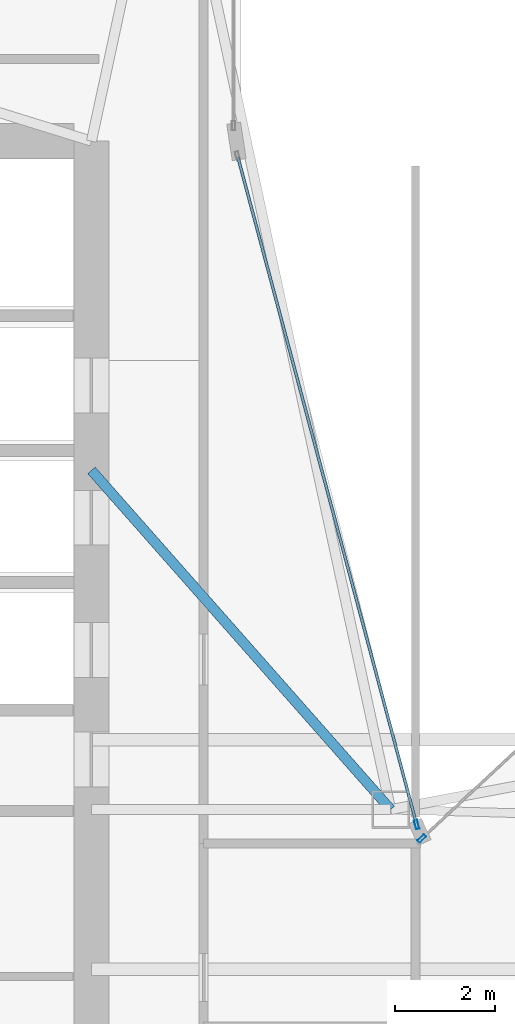
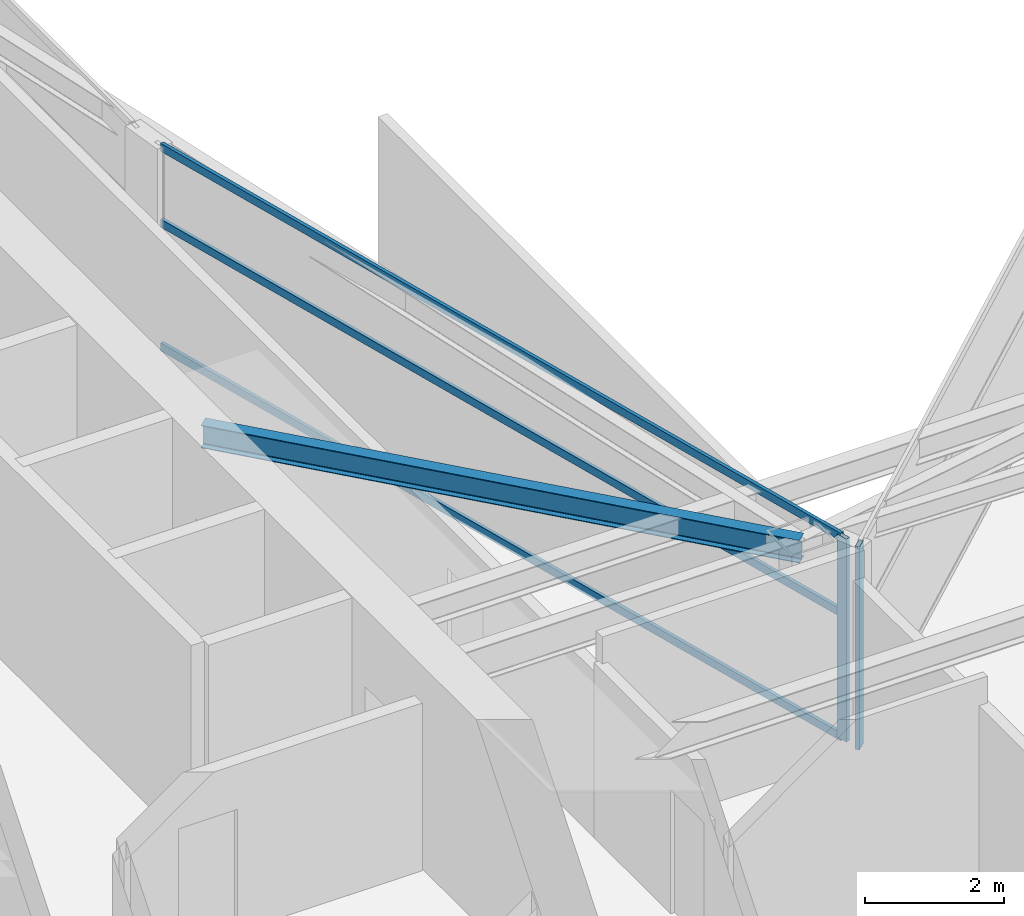
# One storey, part 10 of 27: 5 members, 1 beam, 2 elements without a shape of their own.
"""IFC4 building model written with IfcOpenShell, lengths in metres."""

from ifc_helpers import new_model, si_unit, direction, frame, origin, origin_2d, place, context, subcontext, project, spatial, hollow_rectangle, i_section, extrude, material, layer, layer_set, material_profile, profile_set, type_object, element, aggregate, save


model = new_model("IFC4")

# Units and contexts
model_context = context("Model", 3, precision=1e-05, world=origin(), true_north=direction((0.0, 1.0)))
body_context = subcontext(model_context, "Body", "Model", "MODEL_VIEW")
ifc_project = project(units=[si_unit("LENGTHUNIT", "METRE"), si_unit("AREAUNIT", "SQUARE_METRE"), si_unit("VOLUMEUNIT", "CUBIC_METRE"), si_unit("PLANEANGLEUNIT", "RADIAN"), si_unit("MASSUNIT", "GRAM", prefix="KILO")], contexts=[model_context])

# Site, building, storey
site_placement = place(None, origin())
site = spatial("IfcSite", under=ifc_project, at=site_placement, CompositionType="ELEMENT")
building_placement = place(site_placement, origin())
building = spatial("IfcBuilding", under=site, at=building_placement, Name="Calvorn Quay Hotel", CompositionType="ELEMENT")
storey_placement = place(building_placement, frame((0.0, 0.0, 226.89990234375)))
storey = spatial("IfcBuildingStorey", under=building, at=storey_placement, Name="L56", CompositionType="ELEMENT", Elevation=226.89990234375)

# Beam
ifc_material_1 = material(Name="Steel Q355B", Category="steel")
ifc_material_profile_1 = material_profile(ifc_material_1, i_section(OverallWidth=0.199951171875, OverallDepth=0.39990234375, WebThickness=0.008056640625, FlangeThickness=0.012939453125, FilletRadius=0.01611328125, at=origin_2d()), Name="HN400x200x8x13")
ifc_profile_set_1 = profile_set([ifc_material_profile_1], Name="Steel Q355B")
beam_type = type_object("IfcBeamType", Name="BM-JOIST-TYP", PredefinedType="JOIST", material=ifc_profile_set_1)
beam_placement = place(storey_placement, frame((15.0, 31.800048828125, 3.340087890625), z_axis=(0.661618965899, -0.749840212287, 0.0), x_axis=(0.749840212287, 0.661618965899, 0.0)))
element("IfcBeam", 1, at=beam_placement, inside=storey, type_object=beam_type, Name="Beam BJ-L56-C1", PredefinedType="JOIST", context=body_context, shape_type="SweptSolid", body=[
    extrude(i_section(OverallWidth=0.199951171875, OverallDepth=0.39990234375, WebThickness=0.008056640625, FlangeThickness=0.012939453125, FilletRadius=0.01611328125, at=origin_2d()), origin(), (0.0, 0.0, 1.0), 9.068603515625),
])

# Curtain wall, member
ifc_material_2 = material(Name="Champagne Bronze Anodised Aluminium and Low-E Glass", Category="aluminium")
ifc_layer = layer(ifc_material_2, 0.219970703125)
ifc_layer_set = layer_set([ifc_layer], Name="CW-SYS-Z3")
curtain_wall_type = type_object("IfcCurtainWallType", Name="CW-SYS-Z3", PredefinedType="NOTDEFINED", material=ifc_layer_set)
curtain_wall_1_placement = place(storey_placement, origin())
curtain_wall_1 = element("IfcCurtainWall", 2, at=curtain_wall_1_placement, inside=storey, type_object=curtain_wall_type, Name="Inner Court Curtain Wall L56-NE1", PredefinedType="NOTDEFINED")
ifc_material_3 = material(Name="Champagne Bronze Anodised Aluminium 6063-T6", Category="aluminium")
ifc_material_profile_2 = material_profile(ifc_material_3, hollow_rectangle(XDim=0.068115234375, YDim=0.18505859375, WallThickness=0.00390625, at=origin_2d()), Name="ALU-M185x68x4")
ifc_profile_set_2 = profile_set([ifc_material_profile_2], Name="Champagne Bronze Anodised Aluminium 6063-T6")
member_type_1 = type_object("IfcMemberType", Name="CW-SYS-Z3-MUL", PredefinedType="MULLION", material=ifc_profile_set_2)
member_1_placement = place(storey_placement, frame((21.6220703125, 24.42041015625, 0.0), z_axis=(0.0, 0.0, 1.0), x_axis=(0.681603655102, -0.731721570922, 0.0)))
member_1 = element("IfcMember", 3, at=member_1_placement, type_object=member_type_1, Name="CW-L56-NE1 mullion 3", PredefinedType="MULLION", context=body_context, shape_type="SweptSolid", body=[
    extrude(hollow_rectangle(XDim=0.068115234375, YDim=0.18505859375, WallThickness=0.00390625, at=origin_2d()), origin(), (0.0, 0.0, 1.0), 3.56005859375),
])
aggregate(curtain_wall_1, [member_1])

# Curtain wall, members
curtain_wall_2_placement = place(storey_placement, origin())
curtain_wall_2 = element("IfcCurtainWall", 4, at=curtain_wall_2_placement, inside=storey, type_object=curtain_wall_type, Name="Inner Court Curtain Wall L56-IC1", PredefinedType="NOTDEFINED")
member_2_placement = place(storey_placement, frame((21.520263671875, 24.698974609375, 0.0), z_axis=(0.0, 0.0, 1.0), x_axis=(-0.96593652056, -0.25877913024, 0.0)))
member_2 = element("IfcMember", 5, at=member_2_placement, type_object=member_type_1, Name="CW-L56-IC1 mullion 1", PredefinedType="MULLION", context=body_context, shape_type="SweptSolid", body=[
    extrude(hollow_rectangle(XDim=0.068115234375, YDim=0.18505859375, WallThickness=0.00390625, at=origin_2d()), origin(), (0.0, 0.0, 1.0), 3.56005859375),
])
ifc_material_4 = material(Name="Champagne Bronze Anodised Aluminium 6063-T6", Category="aluminium")
ifc_material_profile_3 = material_profile(ifc_material_4, hollow_rectangle(XDim=0.05810546875, YDim=0.139892578125, WallThickness=0.003173828125, at=origin_2d()), Name="ALU-T140x58x3.2")
ifc_profile_set_3 = profile_set([ifc_material_profile_3], Name="Champagne Bronze Anodised Aluminium 6063-T6")
member_type_2 = type_object("IfcMemberType", Name="CW-SYS-Z3-TRN", PredefinedType="USERDEFINED", material=ifc_profile_set_3)
member_3_placement = place(storey_placement, frame((21.512451171875, 24.72802734375, 0.030029296875), z_axis=(-0.258781136883, 0.965935982969, 0.0), x_axis=(-0.965935982969, -0.258781136883, 0.0)))
member_3 = element("IfcMember", 6, at=member_3_placement, type_object=member_type_2, Name="CW-L56-IC1 transom 1.1", ObjectType="TRANSOM", PredefinedType="USERDEFINED", context=body_context, shape_type="SweptSolid", body=[
    extrude(hollow_rectangle(XDim=0.05810546875, YDim=0.139892578125, WallThickness=0.003173828125, at=origin_2d()), origin(), (0.0, 0.0, 1.0), 13.814453125),
])
member_4_placement = place(storey_placement, frame((21.512451171875, 24.72802734375, 2.2001953125), z_axis=(-0.258781136883, 0.965935982969, 0.0), x_axis=(-0.965935982969, -0.258781136883, 0.0)))
member_4 = element("IfcMember", 7, at=member_4_placement, type_object=member_type_2, Name="CW-L56-IC1 transom 1.2", ObjectType="TRANSOM", PredefinedType="USERDEFINED", context=body_context, shape_type="SweptSolid", body=[
    extrude(hollow_rectangle(XDim=0.05810546875, YDim=0.139892578125, WallThickness=0.003173828125, at=origin_2d()), origin(), (0.0, 0.0, 1.0), 13.814453125),
])
member_5_placement = place(storey_placement, frame((21.512451171875, 24.72802734375, 3.530029296875), z_axis=(-0.258781136883, 0.965935982969, 0.0), x_axis=(-0.965935982969, -0.258781136883, 0.0)))
member_5 = element("IfcMember", 8, at=member_5_placement, type_object=member_type_2, Name="CW-L56-IC1 transom 1.3", ObjectType="TRANSOM", PredefinedType="USERDEFINED", context=body_context, shape_type="SweptSolid", body=[
    extrude(hollow_rectangle(XDim=0.05810546875, YDim=0.139892578125, WallThickness=0.003173828125, at=origin_2d()), origin(), (0.0, 0.0, 1.0), 13.814453125),
])
aggregate(curtain_wall_2, [member_2, member_3, member_4, member_5])

save(model, "model.ifc")
